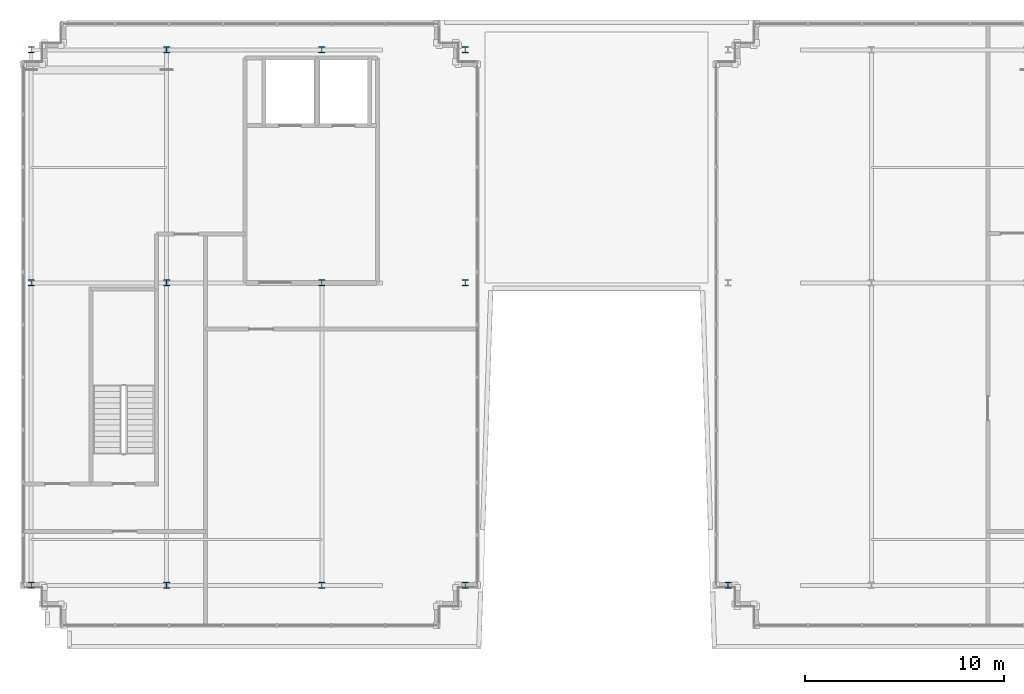
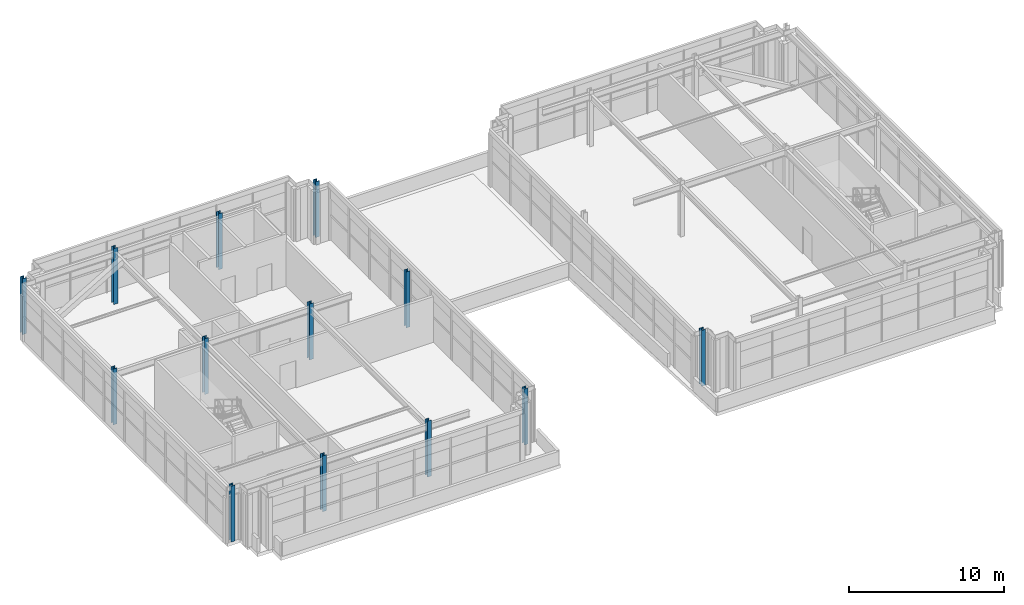
# One storey, part 1 of 31: 13 columns.
"""IFC4 building model written with IfcOpenShell, lengths in metres."""

from ifc_helpers import new_model, si_unit, direction, frame, origin, origin_2d, place, context, subcontext, project, spatial, i_section, extrude, source, transform, mapped, material, material_profile, profile_set, type_object, element, save


model = new_model("IFC4")

# Units and contexts
model_context = context("Model", 3, precision=1e-05, world=origin(), true_north=direction((0.0, 1.0)))
body_context = subcontext(model_context, "Body", "Model", "MODEL_VIEW")
ifc_project = project(units=[si_unit("LENGTHUNIT", "METRE"), si_unit("AREAUNIT", "SQUARE_METRE"), si_unit("VOLUMEUNIT", "CUBIC_METRE"), si_unit("PLANEANGLEUNIT", "RADIAN"), si_unit("MASSUNIT", "GRAM", prefix="KILO")], contexts=[model_context])

# Site, building, storey
site_placement = place(None, origin())
site = spatial("IfcSite", under=ifc_project, at=site_placement, CompositionType="ELEMENT")
building_placement = place(site_placement, origin())
building = spatial("IfcBuilding", under=site, at=building_placement, Name="Trelvane Seafront Commons", CompositionType="ELEMENT")
storey_placement = place(building_placement, frame((0.0, 0.0, 307.89990234375)))
storey = spatial("IfcBuildingStorey", under=building, at=storey_placement, Name="L80", CompositionType="ELEMENT", Elevation=307.89990234375)

# Columns
ifc_material = material(Name="Steel SM355 (S355)", Category="steel")
ifc_material_profile = material_profile(ifc_material, i_section(OverallWidth=0.300048828125, OverallDepth=0.300048828125, WebThickness=0.014892578125, FlangeThickness=0.02392578125, at=origin_2d()), Name="HD-300x300x15x24")
ifc_profile_set = profile_set([ifc_material_profile], Name="Steel SM355 (S355)")
column_type = type_object("IfcColumnType", Name="STR-CROWN-FRAME-COL", PredefinedType="COLUMN", material=ifc_profile_set)
shared_shape = source(origin(), body_context, "Body", "SweptSolid", [
    extrude(i_section(OverallWidth=0.300048828125, OverallDepth=0.300048828125, WebThickness=0.014892578125, FlangeThickness=0.02392578125, at=origin_2d()), origin(), (0.0, 0.0, 1.0), 4.400146484375),
])
for number, where, z_axis, x_axis, name in (
    (1, (8.800048828125, 18.199951171875, 0.0), (0.0, 0.0, 1.0), (1.0, 0.0, 0.0), "L80 CROWN FRAME Column CRN-1-1"),
    (2, (8.800048828125, 33.39990234375, 0.0), (0.0, 0.0, 1.0), (1.0, 0.0, 0.0), "L80 CROWN FRAME Column CRN-1-2"),
    (3, (8.800048828125, 45.10009765625, 0.0), (0.0, 0.0, 1.0), (1.0, 0.0, 0.0), "L80 CROWN FRAME Column CRN-1-3"),
    (4, (15.60009765625, 18.199951171875, 0.0), (0.0, 0.0, 1.0), (1.0, 0.0, 0.0), "L80 CROWN FRAME Column CRN-2-1"),
    (5, (15.60009765625, 33.39990234375, 0.0), (0.0, 0.0, 1.0), (1.0, 0.0, 0.0), "L80 CROWN FRAME Column CRN-2-2"),
    (6, (15.60009765625, 45.10009765625, 0.0), (0.0, 0.0, 1.0), (1.0, 0.0, 0.0), "L80 CROWN FRAME Column CRN-2-3"),
    (7, (23.39990234375, 18.199951171875, 0.0), (0.0, 0.0, 1.0), (1.0, 0.0, 0.0), "L80 CROWN FRAME Column CRN-3-1"),
    (8, (23.39990234375, 33.39990234375, 0.0), (0.0, 0.0, 1.0), (1.0, 0.0, 0.0), "L80 CROWN FRAME Column CRN-3-2"),
    (9, (23.39990234375, 45.10009765625, 0.0), (0.0, 0.0, 1.0), (1.0, 0.0, 0.0), "L80 CROWN FRAME Column CRN-3-3"),
    (10, (30.60009765625, 18.199951171875, 0.0), (0.0, 0.0, 1.0), (1.0, 0.0, 0.0), "L80 CROWN FRAME Column CRN-4-1"),
    (11, (30.60009765625, 33.39990234375, 0.0), (0.0, 0.0, 1.0), (1.0, 0.0, 0.0), "L80 CROWN FRAME Column CRN-4-2"),
    (12, (30.60009765625, 45.10009765625, 0.0), (0.0, 0.0, 1.0), (1.0, 0.0, 0.0), "L80 CROWN FRAME Column CRN-4-3"),
    (13, (43.800048828125, 18.199951171875, 0.0), (0.0, 0.0, 1.0), (1.0, 0.0, 0.0), "L80 CROWN FRAME Column CRN-5-1"),
):
    element("IfcColumn", number, at=place(storey_placement, frame(where, z_axis=z_axis, x_axis=x_axis)), inside=storey, type_object=column_type, Name=name, PredefinedType="COLUMN", context=body_context, shape_type="MappedRepresentation", body=[
        mapped(shared_shape, transform((0.0, 0.0, 0.0), x_axis=(1.0, 0.0, 0.0), y_axis=(0.0, 1.0, 0.0), z_axis=(0.0, 0.0, 1.0), scale=1.0)),
    ])

save(model, "model.ifc")
